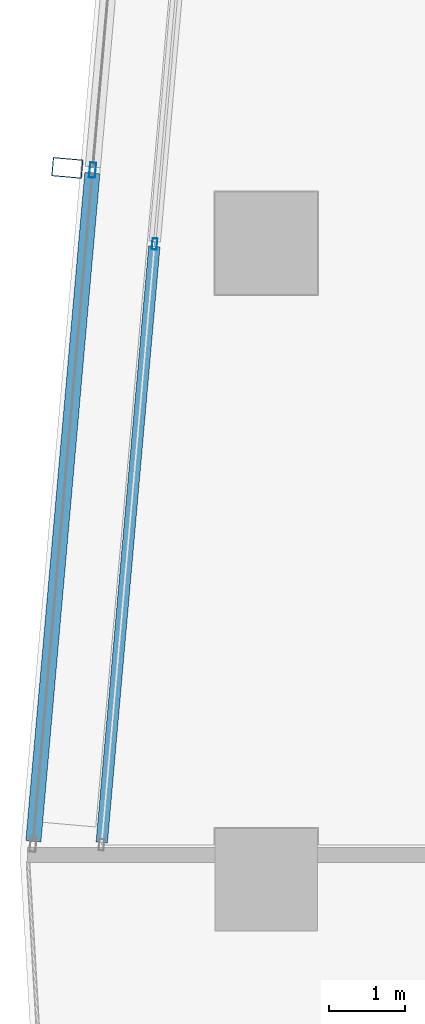
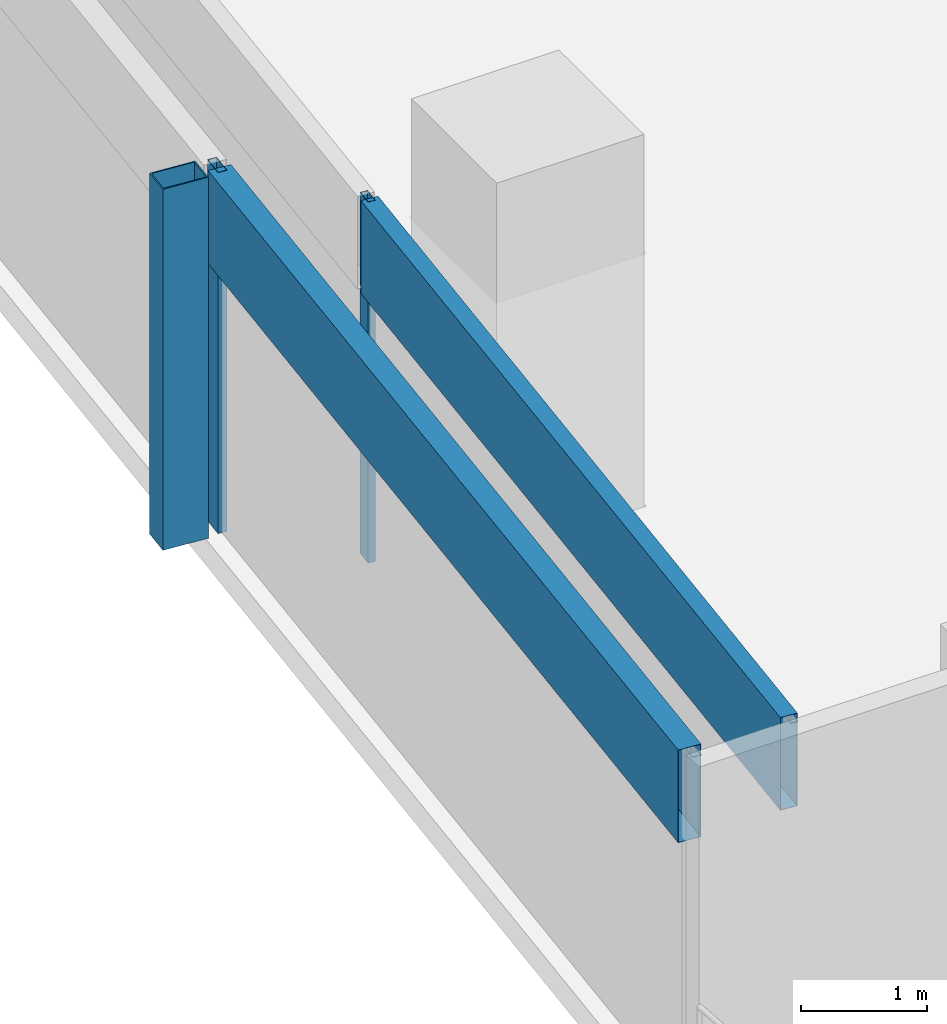
# One storey, part 15 of 39: 5 members, 2 elements without a shape of their own.
"""IFC4 building model written with IfcOpenShell, lengths in metres."""

from ifc_helpers import new_model, si_unit, direction, frame, origin, origin_2d, place, context, subcontext, project, spatial, hollow_rectangle, extrude, material, material_profile, profile_set, type_object, element, aggregate, save


model = new_model("IFC4")

# Units and contexts
model_context = context("Model", 3, precision=1e-05, world=origin(), true_north=direction((0.0, 1.0)))
body_context = subcontext(model_context, "Body", "Model", "MODEL_VIEW")
ifc_project = project(units=[si_unit("LENGTHUNIT", "METRE"), si_unit("AREAUNIT", "SQUARE_METRE"), si_unit("VOLUMEUNIT", "CUBIC_METRE"), si_unit("PLANEANGLEUNIT", "RADIAN"), si_unit("MASSUNIT", "GRAM", prefix="KILO")], contexts=[model_context])

# Site, building, storey
site_placement = place(None, origin())
site = spatial("IfcSite", under=ifc_project, at=site_placement, CompositionType="ELEMENT")
building_placement = place(site_placement, origin())
building = spatial("IfcBuilding", under=site, at=building_placement, Name="Rekha Terrace Tower", CompositionType="ELEMENT")
storey_placement = place(building_placement, frame((0.0, 0.0, 221.449951171875)))
storey = spatial("IfcBuildingStorey", under=building, at=storey_placement, Name="L56", CompositionType="ELEMENT", Elevation=221.449951171875)

# Curtain wall, member
ifc_material_1 = material(Name="Aluminium framing", Category="aluminium")
curtain_wall_type_1 = type_object("IfcCurtainWallType", Name="CW2 double skin outer glazing", PredefinedType="USERDEFINED", material=ifc_material_1)
curtain_wall_1_placement = place(storey_placement, origin())
curtain_wall_1 = element("IfcCurtainWall", 1, at=curtain_wall_1_placement, inside=storey, type_object=curtain_wall_type_1, Name="CW2 double skin outer glazing", ObjectType="DOUBLE SKIN OUTER GLAZING", PredefinedType="USERDEFINED")
ifc_material_2 = material(Name="Steel S355 with fluorocarbon finish", Category="steel")
ifc_material_profile_1 = material_profile(ifc_material_2, hollow_rectangle(XDim=0.25, YDim=0.39990234375, WallThickness=0.012451171875, at=origin_2d()), Name="RHS400x250x12.5")
ifc_profile_set_1 = profile_set([ifc_material_profile_1], Name="Steel S355 with fluorocarbon finish")
member_type_1 = type_object("IfcMemberType", Name="BL1 facade blade RHS 400 x 250", PredefinedType="USERDEFINED", material=ifc_profile_set_1)
member_1_placement = place(storey_placement, frame((5.7744140625, 51.391845703125, 0.0), z_axis=(0.0, 0.0, 1.0), x_axis=(-0.087957249501, -0.996124250413, 0.0)))
member_1 = element("IfcMember", 2, at=member_1_placement, type_object=member_type_1, Name="Facade blade", ObjectType="FACADE BLADE", PredefinedType="USERDEFINED", context=body_context, shape_type="SweptSolid", body=[
    extrude(hollow_rectangle(XDim=0.25, YDim=0.39990234375, WallThickness=0.012451171875, at=origin_2d()), origin(), (0.0, 0.0, 1.0), 3.5),
])

# Curtain wall, members
curtain_wall_type_2 = type_object("IfcCurtainWallType", Name="CW1 double skin inner glazing", PredefinedType="USERDEFINED", material=ifc_material_1)
curtain_wall_2_placement = place(storey_placement, origin())
curtain_wall_2 = element("IfcCurtainWall", 3, at=curtain_wall_2_placement, inside=storey, type_object=curtain_wall_type_2, Name="CW1 double skin inner glazing", ObjectType="DOUBLE SKIN INNER GLAZING", PredefinedType="USERDEFINED")
ifc_material_3 = material(Name="Aluminium mullion section", Category="aluminium")
ifc_material_profile_2 = material_profile(ifc_material_3, hollow_rectangle(XDim=0.06494140625, YDim=0.14990234375, WallThickness=0.00390625, at=origin_2d()), Name="AL RHS 65x150")
ifc_profile_set_2 = profile_set([ifc_material_profile_2], Name="Aluminium mullion section")
member_type_2 = type_object("IfcMemberType", Name="CW1 mullion RHS 65 x 150", PredefinedType="MULLION", material=ifc_profile_set_2)
member_2_placement = place(storey_placement, frame((6.92578125, 50.388427734375, 0.0), z_axis=(0.0, 0.0, 1.0), x_axis=(0.996124185424, -0.087957985505, 0.0)))
member_2 = element("IfcMember", 4, at=member_2_placement, type_object=member_type_2, Name="CW1 mullion 2", PredefinedType="MULLION", context=body_context, shape_type="SweptSolid", body=[
    extrude(hollow_rectangle(XDim=0.06494140625, YDim=0.14990234375, WallThickness=0.00390625, at=origin_2d()), origin(), (0.0, 0.0, 1.0), 3.5),
])
ifc_material_4 = material(Name="Insulated aluminium spandrel box", Category="aluminium")
ifc_material_profile_3 = material_profile(ifc_material_4, hollow_rectangle(XDim=0.14990234375, YDim=0.89990234375, WallThickness=0.0029296875, at=origin_2d()), Name="AL SPANDREL BOX 150x900")
ifc_profile_set_3 = profile_set([ifc_material_profile_3], Name="Insulated aluminium spandrel box")
member_type_3 = type_object("IfcMemberType", Name="CW1 spandrel transom 150 x 900", PredefinedType="USERDEFINED", material=ifc_profile_set_3)
member_3_placement = place(storey_placement, frame((6.9228515625, 50.356201171875, 3.050048828125), z_axis=(-0.087956088661, -0.996124352914, 0.0), x_axis=(0.996124352914, -0.087956088661, 0.0)))
member_3 = element("IfcMember", 5, at=member_3_placement, type_object=member_type_3, Name="CW1 spandrel transom 2", ObjectType="TRANSOM", PredefinedType="USERDEFINED", context=body_context, shape_type="SweptSolid", body=[
    extrude(hollow_rectangle(XDim=0.14990234375, YDim=0.89990234375, WallThickness=0.0029296875, at=origin_2d()), origin(), (0.0, 0.0, 1.0), 7.89404296875),
])
aggregate(curtain_wall_2, [member_2, member_3])

# Member
ifc_material_profile_4 = material_profile(ifc_material_3, hollow_rectangle(XDim=0.080078125, YDim=0.199951171875, WallThickness=0.00390625, at=origin_2d()), Name="AL RHS 80x200")
ifc_profile_set_4 = profile_set([ifc_material_profile_4], Name="Aluminium mullion section")
member_type_4 = type_object("IfcMemberType", Name="CW2 mullion RHS 80 x 200", PredefinedType="MULLION", material=ifc_profile_set_4)
member_4_placement = place(storey_placement, frame((6.108154296875, 51.3623046875, 0.0), z_axis=(0.0, 0.0, 1.0), x_axis=(0.996124185428, -0.087957985453, 0.0)))
member_4 = element("IfcMember", 6, at=member_4_placement, type_object=member_type_4, Name="CW2 mullion 2", PredefinedType="MULLION", context=body_context, shape_type="SweptSolid", body=[
    extrude(hollow_rectangle(XDim=0.080078125, YDim=0.199951171875, WallThickness=0.00390625, at=origin_2d()), origin(), (0.0, 0.0, 1.0), 3.5),
])

ifc_material_profile_5 = material_profile(ifc_material_4, hollow_rectangle(XDim=0.199951171875, YDim=0.89990234375, WallThickness=0.0029296875, at=origin_2d()), Name="AL SPANDREL BOX 200x900")
ifc_profile_set_5 = profile_set([ifc_material_profile_5], Name="Insulated aluminium spandrel box")
member_type_5 = type_object("IfcMemberType", Name="CW2 spandrel transom 200 x 900", PredefinedType="USERDEFINED", material=ifc_profile_set_5)
member_5_placement = place(storey_placement, frame((6.104736328125, 51.322509765625, 3.050048828125), z_axis=(-0.087953392677, -0.996124590961, 0.0), x_axis=(0.996124590961, -0.087953392677, 0.0)))
member_5 = element("IfcMember", 7, at=member_5_placement, type_object=member_type_5, Name="CW2 spandrel transom 2", ObjectType="TRANSOM", PredefinedType="USERDEFINED", context=body_context, shape_type="SweptSolid", body=[
    extrude(hollow_rectangle(XDim=0.199951171875, YDim=0.89990234375, WallThickness=0.0029296875, at=origin_2d()), origin(), (0.0, 0.0, 1.0), 8.84912109375),
])

aggregate(curtain_wall_1, [member_4, member_5, member_1])

save(model, "model.ifc")
